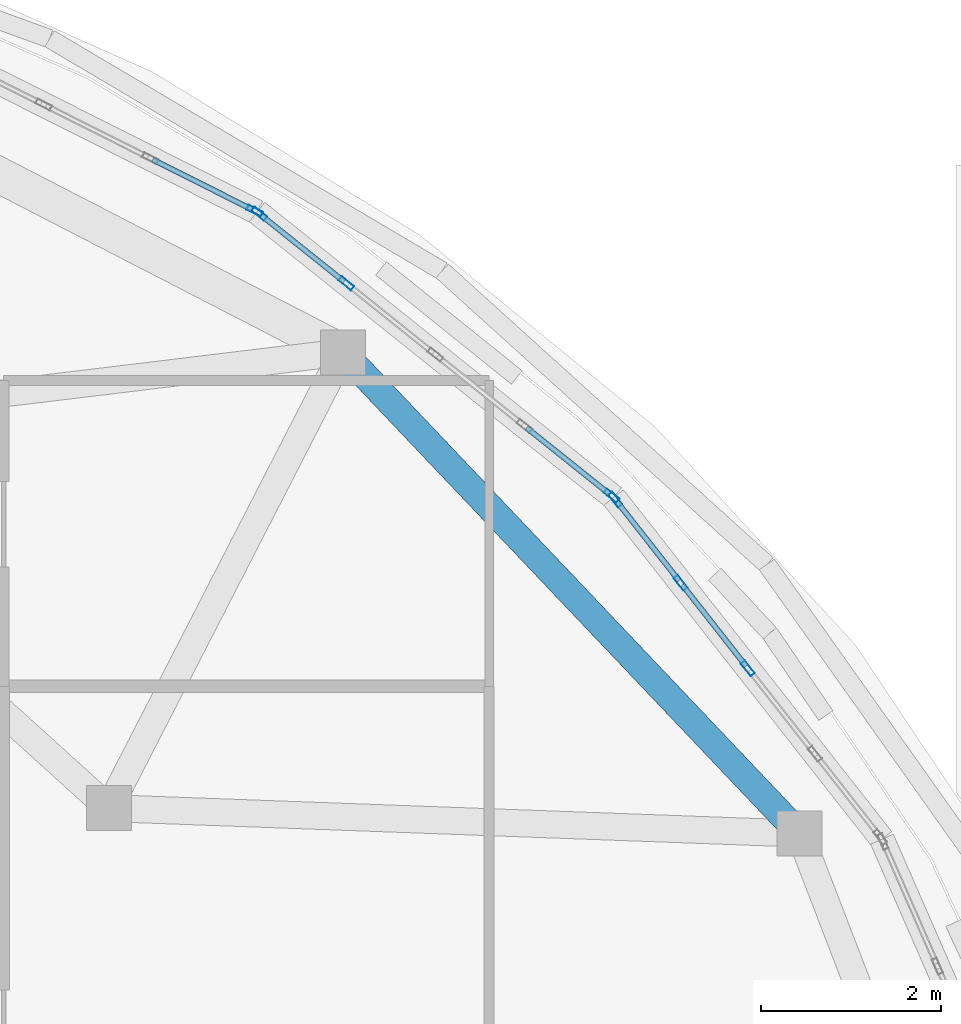
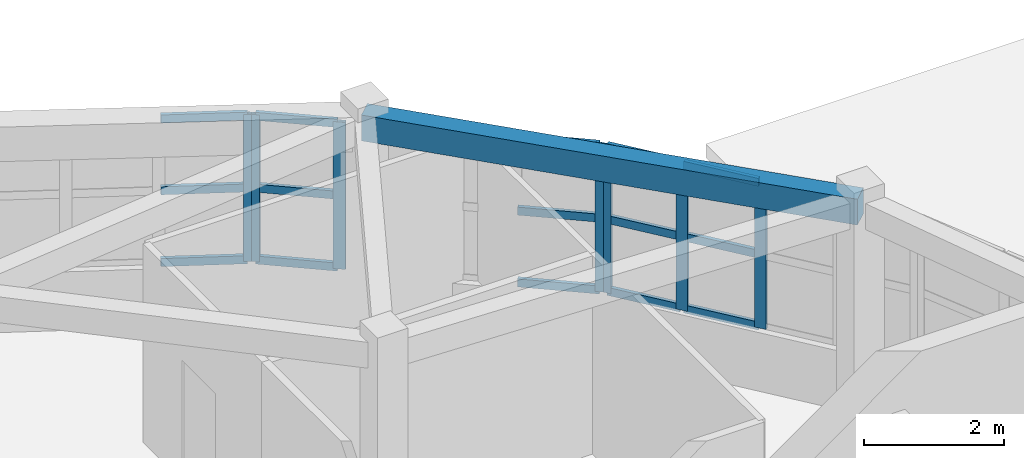
# One storey, part 27 of 38: 22 members, 1 beam, 3 elements without a shape of their own.
"""IFC4 building model written with IfcOpenShell, lengths in metres."""

from ifc_helpers import new_model, si_unit, direction, frame, origin, origin_2d, place, context, subcontext, project, spatial, rectangle, hollow_rectangle, extrude, material, layer, layer_set, material_profile, profile_set, type_object, element, aggregate, save


model = new_model("IFC4")

# Units and contexts
model_context = context("Model", 3, precision=1e-05, world=origin(), true_north=direction((0.0, 1.0)))
body_context = subcontext(model_context, "Body", "Model", "MODEL_VIEW")
ifc_project = project(units=[si_unit("LENGTHUNIT", "METRE"), si_unit("AREAUNIT", "SQUARE_METRE"), si_unit("VOLUMEUNIT", "CUBIC_METRE"), si_unit("PLANEANGLEUNIT", "RADIAN"), si_unit("MASSUNIT", "GRAM", prefix="KILO")], contexts=[model_context])

# Site, building, storey
site_placement = place(None, origin())
site = spatial("IfcSite", under=ifc_project, at=site_placement, CompositionType="ELEMENT")
building_placement = place(site_placement, origin())
building = spatial("IfcBuilding", under=site, at=building_placement, Name="Pelvatis Terrace Science Centre", CompositionType="ELEMENT")
storey_placement = place(building_placement, frame((0.0, 0.0, 24.300048828125)))
storey = spatial("IfcBuildingStorey", under=building, at=storey_placement, Name="L05", CompositionType="ELEMENT", Elevation=24.300048828125)

# Beam
ifc_material_1 = material(Name="Concrete C35/45", Category="concrete")
ifc_material_profile_1 = material_profile(ifc_material_1, rectangle(XDim=0.300048828125, YDim=0.449951171875, at=origin_2d()), Name="RC-BM 300x450")
ifc_profile_set_1 = profile_set([ifc_material_profile_1], Name="Concrete C35/45")
beam_type = type_object("IfcBeamType", Name="BM-RC-300x450", PredefinedType="BEAM", material=ifc_profile_set_1)
beam_placement = place(storey_placement, frame((130.8515625, 93.9619140625, 4.034912109375), z_axis=(-0.688268468455, 0.725456074019, 0.0), x_axis=(-0.725456074019, -0.688268468455, 0.0)))
element("IfcBeam", 1, at=beam_placement, inside=storey, type_object=beam_type, Name="Beam BM-L05-3118", PredefinedType="BEAM", context=body_context, shape_type="SweptSolid", body=[
    extrude(rectangle(XDim=0.300048828125, YDim=0.449951171875, at=origin_2d()), origin(), (0.0, 0.0, 1.0), 7.379150390625),
])

# Curtain wall, members
ifc_material_2 = material(Name="Bronze-anodised aluminium and laminated glass", Category="aluminium")
ifc_layer = layer(ifc_material_2, 0.179931640625)
ifc_layer_set = layer_set([ifc_layer], Name="Bronze-anodised aluminium and laminated glass")
curtain_wall_type = type_object("IfcCurtainWallType", Name="CW-RIBBON-A", PredefinedType="NOTDEFINED", material=ifc_layer_set)
curtain_wall_1_placement = place(storey_placement, origin())
curtain_wall_1 = element("IfcCurtainWall", 2, at=curtain_wall_1_placement, inside=storey, type_object=curtain_wall_type, Name="Ribbon curtain wall CW-239 (L05)", PredefinedType="NOTDEFINED")
ifc_material_3 = material(Name="Bronze-anodised aluminium 6063-T6", Category="aluminium")
ifc_material_profile_2 = material_profile(ifc_material_3, hollow_rectangle(XDim=0.06005859375, YDim=0.179931640625, WallThickness=0.00390625, at=origin_2d()), Name="ALU-MUL 60x180")
ifc_profile_set_2 = profile_set([ifc_material_profile_2], Name="Bronze-anodised aluminium 6063-T6")
member_type_1 = type_object("IfcMemberType", Name="CWM-60x180", PredefinedType="MULLION", material=ifc_profile_set_2)
member_1_placement = place(storey_placement, frame((130.277099609375, 95.80029296875, 1.02001953125), z_axis=(0.0, 0.0, 1.0), x_axis=(-0.786576740286, -0.617492535697, 0.0)))
member_1 = element("IfcMember", 3, at=member_1_placement, type_object=member_type_1, Name="CW-239 mullion 3", PredefinedType="MULLION", context=body_context, shape_type="SweptSolid", body=[
    extrude(hollow_rectangle(XDim=0.06005859375, YDim=0.179931640625, WallThickness=0.00390625, at=origin_2d()), origin(), (0.0, 0.0, 1.0), 2.559814453125),
])
member_2_placement = place(storey_placement, frame((129.531005859375, 96.75048828125, 1.02001953125), z_axis=(0.0, 0.0, 1.0), x_axis=(-0.786576740286, -0.617492535697, 0.0)))
member_2 = element("IfcMember", 4, at=member_2_placement, type_object=member_type_1, Name="CW-239 mullion 4", PredefinedType="MULLION", context=body_context, shape_type="SweptSolid", body=[
    extrude(hollow_rectangle(XDim=0.06005859375, YDim=0.179931640625, WallThickness=0.00390625, at=origin_2d()), origin(), (0.0, 0.0, 1.0), 2.559814453125),
])
member_3_placement = place(storey_placement, frame((128.803466796875, 97.677490234375, 1.02001953125), z_axis=(0.0, 0.0, 1.0), x_axis=(-0.786576740286, -0.617492535697, 0.0)))
member_3 = element("IfcMember", 5, at=member_3_placement, type_object=member_type_1, Name="CW-239 mullion 5", PredefinedType="MULLION", context=body_context, shape_type="SweptSolid", body=[
    extrude(hollow_rectangle(XDim=0.06005859375, YDim=0.179931640625, WallThickness=0.00390625, at=origin_2d()), origin(), (0.0, 0.0, 1.0), 2.559814453125),
])

curtain_wall_2_placement = place(storey_placement, origin())
curtain_wall_2 = element("IfcCurtainWall", 6, at=curtain_wall_2_placement, inside=storey, type_object=curtain_wall_type, Name="Ribbon curtain wall CW-240 (L05)", PredefinedType="NOTDEFINED")
member_4_placement = place(storey_placement, frame((128.761474609375, 97.7197265625, 1.02001953125), z_axis=(0.0, 0.0, 1.0), x_axis=(-0.62487505806, -0.780724767005, 0.0)))
member_4 = element("IfcMember", 7, at=member_4_placement, type_object=member_type_1, Name="CW-240 mullion 1", PredefinedType="MULLION", context=body_context, shape_type="SweptSolid", body=[
    extrude(hollow_rectangle(XDim=0.06005859375, YDim=0.179931640625, WallThickness=0.00390625, at=origin_2d()), origin(), (0.0, 0.0, 1.0), 2.559814453125),
])
member_5_placement = place(storey_placement, frame((125.81005859375, 100.08203125, 1.02001953125), z_axis=(0.0, 0.0, 1.0), x_axis=(-0.62487505806, -0.780724767005, 0.0)))
member_5 = element("IfcMember", 8, at=member_5_placement, type_object=member_type_1, Name="CW-240 mullion 4", PredefinedType="MULLION", context=body_context, shape_type="SweptSolid", body=[
    extrude(hollow_rectangle(XDim=0.06005859375, YDim=0.179931640625, WallThickness=0.00390625, at=origin_2d()), origin(), (0.0, 0.0, 1.0), 2.559814453125),
])
member_6_placement = place(storey_placement, frame((124.841796875, 100.85693359375, 1.02001953125), z_axis=(0.0, 0.0, 1.0), x_axis=(-0.62487505806, -0.780724767005, 0.0)))
member_6 = element("IfcMember", 9, at=member_6_placement, type_object=member_type_1, Name="CW-240 mullion 5", PredefinedType="MULLION", context=body_context, shape_type="SweptSolid", body=[
    extrude(hollow_rectangle(XDim=0.06005859375, YDim=0.179931640625, WallThickness=0.00390625, at=origin_2d()), origin(), (0.0, 0.0, 1.0), 2.559814453125),
])

# Curtain wall, member
curtain_wall_3_placement = place(storey_placement, origin())
curtain_wall_3 = element("IfcCurtainWall", 10, at=curtain_wall_3_placement, inside=storey, type_object=curtain_wall_type, Name="Ribbon curtain wall CW-241 (L05)", PredefinedType="NOTDEFINED")
member_7_placement = place(storey_placement, frame((124.79150390625, 100.88916015625, 1.02001953125), z_axis=(0.0, 0.0, 1.0), x_axis=(-0.449303995918, -0.893378933741, 0.0)))
member_7 = element("IfcMember", 11, at=member_7_placement, type_object=member_type_1, Name="CW-241 mullion 1", PredefinedType="MULLION", context=body_context, shape_type="SweptSolid", body=[
    extrude(hollow_rectangle(XDim=0.06005859375, YDim=0.179931640625, WallThickness=0.00390625, at=origin_2d()), origin(), (0.0, 0.0, 1.0), 2.559814453125),
])

# Member
ifc_material_4 = material(Name="Bronze-anodised aluminium 6063-T6", Category="aluminium")
ifc_material_profile_3 = material_profile(ifc_material_4, hollow_rectangle(XDim=0.06005859375, YDim=0.139892578125, WallThickness=0.00390625, at=origin_2d()), Name="ALU-TRN 60x140")
ifc_profile_set_3 = profile_set([ifc_material_profile_3], Name="Bronze-anodised aluminium 6063-T6")
member_type_2 = type_object("IfcMemberType", Name="CWT-60x140", PredefinedType="USERDEFINED", material=ifc_profile_set_3)
member_8_placement = place(storey_placement, frame((130.258544921875, 95.82373046875, 1.050048828125), z_axis=(-0.617408326584, 0.786642840344, 0.0), x_axis=(-0.786642840344, -0.617408326584, 0.0)))
member_8 = element("IfcMember", 12, at=member_8_placement, type_object=member_type_2, Name="CW-239 transom 3.1", ObjectType="TRANSOM", PredefinedType="USERDEFINED", context=body_context, shape_type="SweptSolid", body=[
    extrude(hollow_rectangle(XDim=0.06005859375, YDim=0.139892578125, WallThickness=0.00390625, at=origin_2d()), origin(), (0.0, 0.0, 1.0), 1.1484375),
])

member_9_placement = place(storey_placement, frame((130.258544921875, 95.82373046875, 2.300048828125), z_axis=(-0.617408326584, 0.786642840344, 0.0), x_axis=(-0.786642840344, -0.617408326584, 0.0)))
member_9 = element("IfcMember", 13, at=member_9_placement, type_object=member_type_2, Name="CW-239 transom 3.2", ObjectType="TRANSOM", PredefinedType="USERDEFINED", context=body_context, shape_type="SweptSolid", body=[
    extrude(hollow_rectangle(XDim=0.06005859375, YDim=0.139892578125, WallThickness=0.00390625, at=origin_2d()), origin(), (0.0, 0.0, 1.0), 1.1484375),
])

member_10_placement = place(storey_placement, frame((130.258544921875, 95.82373046875, 3.550048828125), z_axis=(-0.617408326584, 0.786642840344, 0.0), x_axis=(-0.786642840344, -0.617408326584, 0.0)))
member_10 = element("IfcMember", 14, at=member_10_placement, type_object=member_type_2, Name="CW-239 transom 3.3", ObjectType="TRANSOM", PredefinedType="USERDEFINED", context=body_context, shape_type="SweptSolid", body=[
    extrude(hollow_rectangle(XDim=0.06005859375, YDim=0.139892578125, WallThickness=0.00390625, at=origin_2d()), origin(), (0.0, 0.0, 1.0), 1.1484375),
])

member_11_placement = place(storey_placement, frame((129.512451171875, 96.774169921875, 1.050048828125), z_axis=(-0.617426145244, 0.786628854778, 0.0), x_axis=(-0.786628854778, -0.617426145244, 0.0)))
member_11 = element("IfcMember", 15, at=member_11_placement, type_object=member_type_2, Name="CW-239 transom 4.1", ObjectType="TRANSOM", PredefinedType="USERDEFINED", context=body_context, shape_type="SweptSolid", body=[
    extrude(hollow_rectangle(XDim=0.06005859375, YDim=0.139892578125, WallThickness=0.00390625, at=origin_2d()), origin(), (0.0, 0.0, 1.0), 1.1181640625),
])

member_12_placement = place(storey_placement, frame((129.512451171875, 96.774169921875, 2.300048828125), z_axis=(-0.617426145244, 0.786628854778, 0.0), x_axis=(-0.786628854778, -0.617426145244, 0.0)))
member_12 = element("IfcMember", 16, at=member_12_placement, type_object=member_type_2, Name="CW-239 transom 4.2", ObjectType="TRANSOM", PredefinedType="USERDEFINED", context=body_context, shape_type="SweptSolid", body=[
    extrude(hollow_rectangle(XDim=0.06005859375, YDim=0.139892578125, WallThickness=0.00390625, at=origin_2d()), origin(), (0.0, 0.0, 1.0), 1.1181640625),
])

member_13_placement = place(storey_placement, frame((129.512451171875, 96.774169921875, 3.550048828125), z_axis=(-0.617426145244, 0.786628854778, 0.0), x_axis=(-0.786628854778, -0.617426145244, 0.0)))
member_13 = element("IfcMember", 17, at=member_13_placement, type_object=member_type_2, Name="CW-239 transom 4.3", ObjectType="TRANSOM", PredefinedType="USERDEFINED", context=body_context, shape_type="SweptSolid", body=[
    extrude(hollow_rectangle(XDim=0.06005859375, YDim=0.139892578125, WallThickness=0.00390625, at=origin_2d()), origin(), (0.0, 0.0, 1.0), 1.1181640625),
])

aggregate(curtain_wall_1, [member_1, member_2, member_3, member_8, member_9, member_10, member_11, member_12, member_13])

member_14_placement = place(storey_placement, frame((128.738037109375, 97.738525390625, 1.050048828125), z_axis=(-0.78078806689, 0.624795962376, 0.0), x_axis=(-0.624795962376, -0.78078806689, 0.0)))
member_14 = element("IfcMember", 18, at=member_14_placement, type_object=member_type_2, Name="CW-240 transom 1.1", ObjectType="TRANSOM", PredefinedType="USERDEFINED", context=body_context, shape_type="SweptSolid", body=[
    extrude(hollow_rectangle(XDim=0.06005859375, YDim=0.139892578125, WallThickness=0.00390625, at=origin_2d()), origin(), (0.0, 0.0, 1.0), 1.18017578125),
])

member_15_placement = place(storey_placement, frame((128.738037109375, 97.738525390625, 2.300048828125), z_axis=(-0.78078806689, 0.624795962376, 0.0), x_axis=(-0.624795962376, -0.78078806689, 0.0)))
member_15 = element("IfcMember", 19, at=member_15_placement, type_object=member_type_2, Name="CW-240 transom 1.2", ObjectType="TRANSOM", PredefinedType="USERDEFINED", context=body_context, shape_type="SweptSolid", body=[
    extrude(hollow_rectangle(XDim=0.06005859375, YDim=0.139892578125, WallThickness=0.00390625, at=origin_2d()), origin(), (0.0, 0.0, 1.0), 1.18017578125),
])

member_16_placement = place(storey_placement, frame((128.738037109375, 97.738525390625, 3.550048828125), z_axis=(-0.78078806689, 0.624795962376, 0.0), x_axis=(-0.624795962376, -0.78078806689, 0.0)))
member_16 = element("IfcMember", 20, at=member_16_placement, type_object=member_type_2, Name="CW-240 transom 1.3", ObjectType="TRANSOM", PredefinedType="USERDEFINED", context=body_context, shape_type="SweptSolid", body=[
    extrude(hollow_rectangle(XDim=0.06005859375, YDim=0.139892578125, WallThickness=0.00390625, at=origin_2d()), origin(), (0.0, 0.0, 1.0), 1.18017578125),
])

member_17_placement = place(storey_placement, frame((125.78662109375, 100.100830078125, 1.050048828125), z_axis=(-0.78078806689, 0.624795962376, 0.0), x_axis=(-0.624795962376, -0.78078806689, 0.0)))
member_17 = element("IfcMember", 21, at=member_17_placement, type_object=member_type_2, Name="CW-240 transom 4.1", ObjectType="TRANSOM", PredefinedType="USERDEFINED", context=body_context, shape_type="SweptSolid", body=[
    extrude(hollow_rectangle(XDim=0.06005859375, YDim=0.139892578125, WallThickness=0.00390625, at=origin_2d()), origin(), (0.0, 0.0, 1.0), 1.18017578125),
])

member_18_placement = place(storey_placement, frame((125.78662109375, 100.100830078125, 2.300048828125), z_axis=(-0.78078806689, 0.624795962376, 0.0), x_axis=(-0.624795962376, -0.78078806689, 0.0)))
member_18 = element("IfcMember", 22, at=member_18_placement, type_object=member_type_2, Name="CW-240 transom 4.2", ObjectType="TRANSOM", PredefinedType="USERDEFINED", context=body_context, shape_type="SweptSolid", body=[
    extrude(hollow_rectangle(XDim=0.06005859375, YDim=0.139892578125, WallThickness=0.00390625, at=origin_2d()), origin(), (0.0, 0.0, 1.0), 1.18017578125),
])

member_19_placement = place(storey_placement, frame((125.78662109375, 100.100830078125, 3.550048828125), z_axis=(-0.78078806689, 0.624795962376, 0.0), x_axis=(-0.624795962376, -0.78078806689, 0.0)))
member_19 = element("IfcMember", 23, at=member_19_placement, type_object=member_type_2, Name="CW-240 transom 4.3", ObjectType="TRANSOM", PredefinedType="USERDEFINED", context=body_context, shape_type="SweptSolid", body=[
    extrude(hollow_rectangle(XDim=0.06005859375, YDim=0.139892578125, WallThickness=0.00390625, at=origin_2d()), origin(), (0.0, 0.0, 1.0), 1.18017578125),
])

aggregate(curtain_wall_2, [member_4, member_5, member_6, member_14, member_15, member_16, member_17, member_18, member_19])

member_20_placement = place(storey_placement, frame((124.764892578125, 100.902587890625, 1.050048828125), z_axis=(-0.8933609013, 0.449339849143, 0.0), x_axis=(-0.449339849143, -0.8933609013, 0.0)))
member_20 = element("IfcMember", 24, at=member_20_placement, type_object=member_type_2, Name="CW-241 transom 1.1", ObjectType="TRANSOM", PredefinedType="USERDEFINED", context=body_context, shape_type="SweptSolid", body=[
    extrude(hollow_rectangle(XDim=0.06005859375, YDim=0.139892578125, WallThickness=0.00390625, at=origin_2d()), origin(), (0.0, 0.0, 1.0), 1.2392578125),
])

member_21_placement = place(storey_placement, frame((124.764892578125, 100.902587890625, 2.300048828125), z_axis=(-0.8933609013, 0.449339849143, 0.0), x_axis=(-0.449339849143, -0.8933609013, 0.0)))
member_21 = element("IfcMember", 25, at=member_21_placement, type_object=member_type_2, Name="CW-241 transom 1.2", ObjectType="TRANSOM", PredefinedType="USERDEFINED", context=body_context, shape_type="SweptSolid", body=[
    extrude(hollow_rectangle(XDim=0.06005859375, YDim=0.139892578125, WallThickness=0.00390625, at=origin_2d()), origin(), (0.0, 0.0, 1.0), 1.2392578125),
])

member_22_placement = place(storey_placement, frame((124.764892578125, 100.902587890625, 3.550048828125), z_axis=(-0.8933609013, 0.449339849143, 0.0), x_axis=(-0.449339849143, -0.8933609013, 0.0)))
member_22 = element("IfcMember", 26, at=member_22_placement, type_object=member_type_2, Name="CW-241 transom 1.3", ObjectType="TRANSOM", PredefinedType="USERDEFINED", context=body_context, shape_type="SweptSolid", body=[
    extrude(hollow_rectangle(XDim=0.06005859375, YDim=0.139892578125, WallThickness=0.00390625, at=origin_2d()), origin(), (0.0, 0.0, 1.0), 1.2392578125),
])

aggregate(curtain_wall_3, [member_7, member_20, member_21, member_22])

save(model, "model.ifc")
